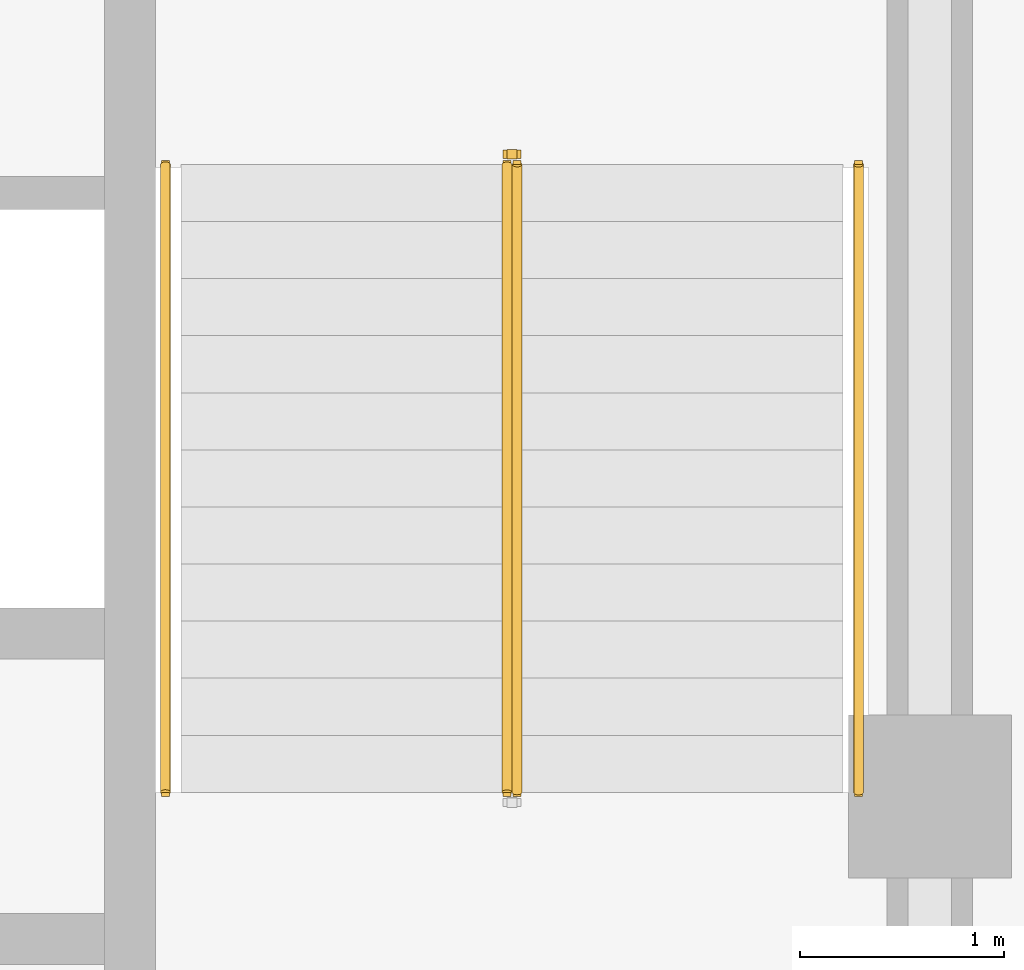
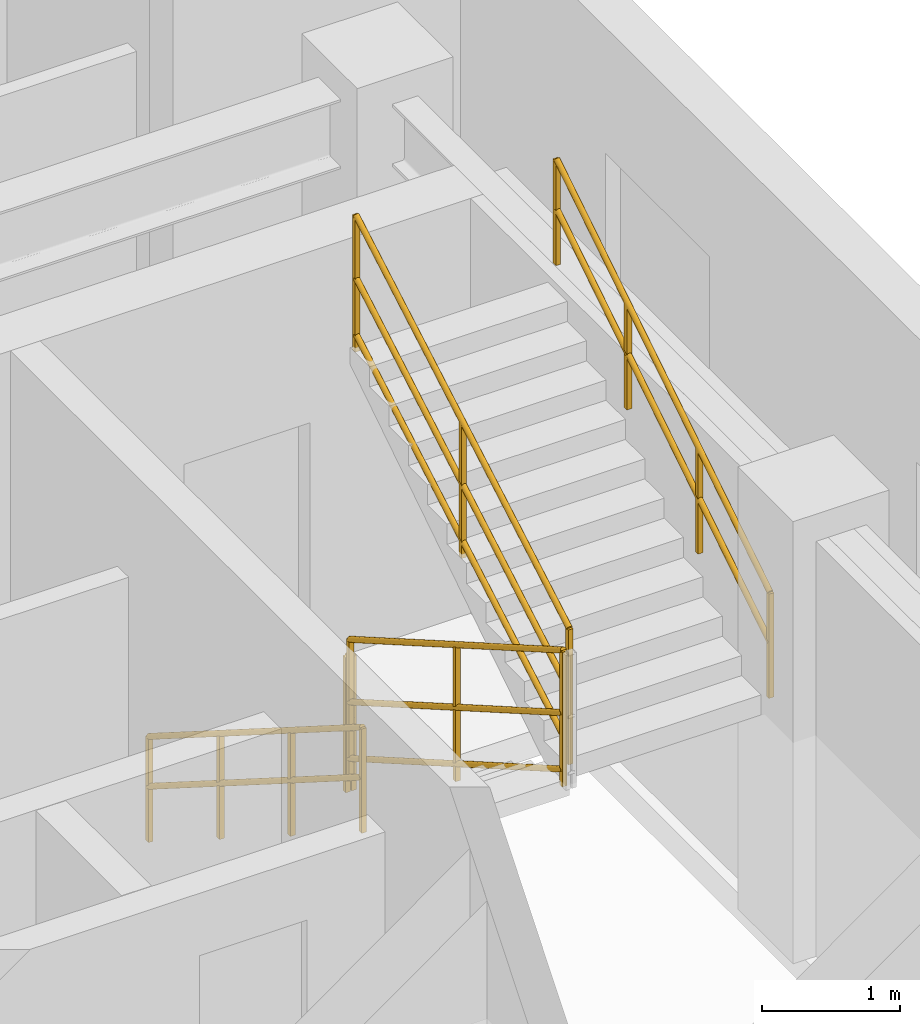
# One storey, part 8 of 9: 5 railings.
"""IFC4 building model written with IfcOpenShell, lengths in metres."""

from ifc_helpers import new_model, entity, si_unit, converted_unit, direction, frame, origin_with_axes, origin_2d_with_axis, place, context, subcontext, project, spatial, rectangle, circle, extrude, material, type_object, element, save


model = new_model("IFC4")

# Units and contexts
model_context = context("Model", 3, precision=1e-05, world=origin_with_axes(), true_north=direction((0.0, 1.0)))
body_context = subcontext(model_context, "Body", "Model", "MODEL_VIEW")
ifc_project = project(units=[si_unit("LENGTHUNIT", "METRE"), si_unit("AREAUNIT", "SQUARE_METRE"), si_unit("VOLUMEUNIT", "CUBIC_METRE"), converted_unit("PLANEANGLEUNIT", "DEGREE", entity("IfcPlaneAngleMeasure", 0.017453292519943295), si_unit("PLANEANGLEUNIT", "RADIAN"), dimensions=[0, 0, 0, 0, 0, 0, 0]), si_unit("MASSUNIT", "GRAM", prefix="KILO"), si_unit("THERMODYNAMICTEMPERATUREUNIT", "KELVIN")], contexts=[model_context])

# Site, building, storey
site_placement = place(None, origin_with_axes())
site = spatial("IfcSite", under=ifc_project, at=site_placement, CompositionType="ELEMENT")
building_placement = place(site_placement, origin_with_axes())
building = spatial("IfcBuilding", under=site, at=building_placement, Name="Varnlund Millrace Tower", CompositionType="ELEMENT")
storey_placement = place(building_placement, frame((0.0, 0.0, 252.9), z_axis=(0.0, 0.0, 1.0), x_axis=(1.0, 0.0, 0.0)))
storey = spatial("IfcBuildingStorey", under=building, at=storey_placement, Name="L62", CompositionType="ELEMENT", Elevation=252.9)

# Railings
ifc_material_1 = material(Name="Painted steel stair well balustrade guard", Category="steel")
railing_type_1 = type_object("IfcRailingType", Name="Type-StairGuard-1150", PredefinedType="GUARDRAIL", material=ifc_material_1)
railing_1_placement = place(storey_placement, frame((0.0, 0.0, -252.9), z_axis=(0.0, 0.0, 1.0), x_axis=(1.0, 0.0, 0.0)))
element("IfcRailing", 1, at=railing_1_placement, inside=storey, type_object=railing_type_1, Name="Type-StairGuard-1150", PredefinedType="GUARDRAIL", context=body_context, shape_type="SweptSolid", body=[
    extrude(circle(Radius=0.024, at=origin_2d_with_axis()), frame((45.975, 21.1, 254.227273), z_axis=(0.0, -0.866696, 0.498836), x_axis=(1.0, 0.0, 0.0)), (0.0, 0.0, 1.0), 3.553725),
    extrude(circle(Radius=0.024, at=origin_2d_with_axis()), frame((45.975, 21.1, 253.177273), z_axis=(0.0, -0.866696, 0.498836), x_axis=(1.0, 0.0, 0.0)), (0.0, 0.0, 1.0), 3.553725),
    extrude(circle(Radius=0.024, at=origin_2d_with_axis()), frame((45.975, 21.1, 253.675273), z_axis=(0.0, -0.866696, 0.498836), x_axis=(1.0, 0.0, 0.0)), (0.0, 0.0, 1.0), 3.553725),
    extrude(rectangle(XDim=0.04, YDim=0.04, at=origin_2d_with_axis()), frame((45.975, 21.1, 253.037273), z_axis=(0.0, 0.0, 1.0), x_axis=(1.0, 0.0, 0.0)), (0.0, 0.0, 1.0), 1.19),
    extrude(rectangle(XDim=0.04, YDim=0.04, at=origin_2d_with_axis()), frame((45.975, 19.56, 253.923637), z_axis=(0.0, 0.0, 1.0), x_axis=(1.0, 0.0, 0.0)), (0.0, 0.0, 1.0), 1.19),
    extrude(rectangle(XDim=0.04, YDim=0.04, at=origin_2d_with_axis()), frame((45.975, 18.02, 254.81), z_axis=(0.0, 0.0, 1.0), x_axis=(1.0, 0.0, 0.0)), (0.0, 0.0, 1.0), 1.19),
])
railing_2_placement = place(storey_placement, frame((0.0, 0.0, -252.9), z_axis=(0.0, 0.0, 1.0), x_axis=(1.0, 0.0, 0.0)))
element("IfcRailing", 2, at=railing_2_placement, inside=storey, type_object=railing_type_1, Name="Type-StairGuard-1150", PredefinedType="GUARDRAIL", context=body_context, shape_type="SweptSolid", body=[
    extrude(circle(Radius=0.024, at=origin_2d_with_axis()), frame((46.025, 18.02, 256.177273), z_axis=(0.0, 0.866696, 0.498836), x_axis=(-1.0, 0.0, 0.0)), (0.0, 0.0, 1.0), 3.553725),
    extrude(circle(Radius=0.024, at=origin_2d_with_axis()), frame((46.025, 18.02, 255.127273), z_axis=(0.0, 0.866696, 0.498836), x_axis=(-1.0, 0.0, 0.0)), (0.0, 0.0, 1.0), 3.553725),
    extrude(circle(Radius=0.024, at=origin_2d_with_axis()), frame((46.025, 18.02, 255.625273), z_axis=(0.0, 0.866696, 0.498836), x_axis=(-1.0, 0.0, 0.0)), (0.0, 0.0, 1.0), 3.553725),
    extrude(rectangle(XDim=0.04, YDim=0.04, at=origin_2d_with_axis()), frame((46.025, 18.02, 254.987273), z_axis=(0.0, 0.0, 1.0), x_axis=(1.0, 0.0, 0.0)), (0.0, 0.0, 1.0), 1.19),
    extrude(rectangle(XDim=0.04, YDim=0.04, at=origin_2d_with_axis()), frame((46.025, 19.56, 255.873637), z_axis=(0.0, 0.0, 1.0), x_axis=(1.0, 0.0, 0.0)), (0.0, 0.0, 1.0), 1.19),
    extrude(rectangle(XDim=0.04, YDim=0.04, at=origin_2d_with_axis()), frame((46.025, 21.1, 256.76), z_axis=(0.0, 0.0, 1.0), x_axis=(1.0, 0.0, 0.0)), (0.0, 0.0, 1.0), 1.19),
])
railing_3_placement = place(storey_placement, frame((0.0, 0.0, -252.9), z_axis=(0.0, 0.0, 1.0), x_axis=(1.0, 0.0, 0.0)))
element("IfcRailing", 3, at=railing_3_placement, inside=storey, type_object=railing_type_1, Name="Type-StairGuard-1150", PredefinedType="GUARDRAIL", context=body_context, shape_type="SweptSolid", body=[
    extrude(circle(Radius=0.024, at=origin_2d_with_axis()), frame((46.025, 21.15, 254.05), z_axis=(-1.0, 0.0, 0.0), x_axis=(0.0, -1.0, 0.0)), (0.0, 0.0, 1.0), 0.05),
    extrude(circle(Radius=0.024, at=origin_2d_with_axis()), frame((46.025, 21.15, 253.0), z_axis=(-1.0, 0.0, 0.0), x_axis=(0.0, -1.0, 0.0)), (0.0, 0.0, 1.0), 0.05),
    extrude(circle(Radius=0.024, at=origin_2d_with_axis()), frame((46.025, 21.15, 253.498), z_axis=(-1.0, 0.0, 0.0), x_axis=(0.0, -1.0, 0.0)), (0.0, 0.0, 1.0), 0.05),
    extrude(rectangle(XDim=0.04, YDim=0.04, at=origin_2d_with_axis()), frame((46.025, 21.15, 252.86), z_axis=(0.0, 0.0, 1.0), x_axis=(1.0, 0.0, 0.0)), (0.0, 0.0, 1.0), 1.19),
    extrude(rectangle(XDim=0.04, YDim=0.04, at=origin_2d_with_axis()), frame((45.975, 21.15, 252.86), z_axis=(0.0, 0.0, 1.0), x_axis=(1.0, 0.0, 0.0)), (0.0, 0.0, 1.0), 1.19),
])
ifc_material_2 = material(Name="Brushed architectural bronze stair handrail", Category="aluminium")
railing_type_2 = type_object("IfcRailingType", Name="Type-StairHandrail-900", PredefinedType="HANDRAIL", material=ifc_material_2)
railing_4_placement = place(storey_placement, frame((0.0, 0.0, -252.9), z_axis=(0.0, 0.0, 1.0), x_axis=(1.0, 0.0, 0.0)))
element("IfcRailing", 4, at=railing_4_placement, inside=storey, type_object=railing_type_2, Name="Type-StairHandrail-900", PredefinedType="HANDRAIL", context=body_context, shape_type="SweptSolid", body=[
    extrude(circle(Radius=0.024, at=origin_2d_with_axis()), frame((44.3, 21.1, 253.956995), z_axis=(0.0, -0.844902, 0.534922), x_axis=(1.0, 0.0, 0.0)), (0.0, 0.0, 1.0), 3.645394),
    extrude(circle(Radius=0.024, at=origin_2d_with_axis()), frame((44.3, 21.1, 253.517134), z_axis=(0.0, -0.844902, 0.534922), x_axis=(1.0, 0.0, 0.0)), (0.0, 0.0, 1.0), 3.645394),
    extrude(rectangle(XDim=0.04, YDim=0.04, at=origin_2d_with_axis()), frame((44.3, 21.1, 253.037273), z_axis=(0.0, 0.0, 1.0), x_axis=(1.0, 0.0, 0.0)), (0.0, 0.0, 1.0), 0.919722),
    extrude(rectangle(XDim=0.04, YDim=0.04, at=origin_2d_with_axis()), frame((44.3, 20.073333, 253.687273), z_axis=(0.0, 0.0, 1.0), x_axis=(1.0, 0.0, 0.0)), (0.0, 0.0, 1.0), 0.919722),
    extrude(rectangle(XDim=0.04, YDim=0.04, at=origin_2d_with_axis()), frame((44.3, 19.046667, 254.337273), z_axis=(0.0, 0.0, 1.0), x_axis=(1.0, 0.0, 0.0)), (0.0, 0.0, 1.0), 0.919722),
    extrude(rectangle(XDim=0.04, YDim=0.04, at=origin_2d_with_axis()), frame((44.3, 18.02, 254.987273), z_axis=(0.0, 0.0, 1.0), x_axis=(1.0, 0.0, 0.0)), (0.0, 0.0, 1.0), 0.919722),
])
railing_5_placement = place(storey_placement, frame((0.0, 0.0, -252.9), z_axis=(0.0, 0.0, 1.0), x_axis=(1.0, 0.0, 0.0)))
element("IfcRailing", 5, at=railing_5_placement, inside=storey, type_object=railing_type_2, Name="Type-StairHandrail-900", PredefinedType="HANDRAIL", context=body_context, shape_type="SweptSolid", body=[
    extrude(circle(Radius=0.024, at=origin_2d_with_axis()), frame((47.7, 18.02, 255.906995), z_axis=(0.0, 0.844902, 0.534922), x_axis=(-1.0, 0.0, 0.0)), (0.0, 0.0, 1.0), 3.645394),
    extrude(circle(Radius=0.024, at=origin_2d_with_axis()), frame((47.7, 18.02, 255.467134), z_axis=(0.0, 0.844902, 0.534922), x_axis=(-1.0, 0.0, 0.0)), (0.0, 0.0, 1.0), 3.645394),
    extrude(rectangle(XDim=0.04, YDim=0.04, at=origin_2d_with_axis()), frame((47.7, 18.02, 254.987273), z_axis=(0.0, 0.0, 1.0), x_axis=(1.0, 0.0, 0.0)), (0.0, 0.0, 1.0), 0.919722),
    extrude(rectangle(XDim=0.04, YDim=0.04, at=origin_2d_with_axis()), frame((47.7, 19.046667, 255.637273), z_axis=(0.0, 0.0, 1.0), x_axis=(1.0, 0.0, 0.0)), (0.0, 0.0, 1.0), 0.919722),
    extrude(rectangle(XDim=0.04, YDim=0.04, at=origin_2d_with_axis()), frame((47.7, 20.073333, 256.287273), z_axis=(0.0, 0.0, 1.0), x_axis=(1.0, 0.0, 0.0)), (0.0, 0.0, 1.0), 0.919722),
    extrude(rectangle(XDim=0.04, YDim=0.04, at=origin_2d_with_axis()), frame((47.7, 21.1, 256.937273), z_axis=(0.0, 0.0, 1.0), x_axis=(1.0, 0.0, 0.0)), (0.0, 0.0, 1.0), 0.919722),
])

save(model, "model.ifc")
